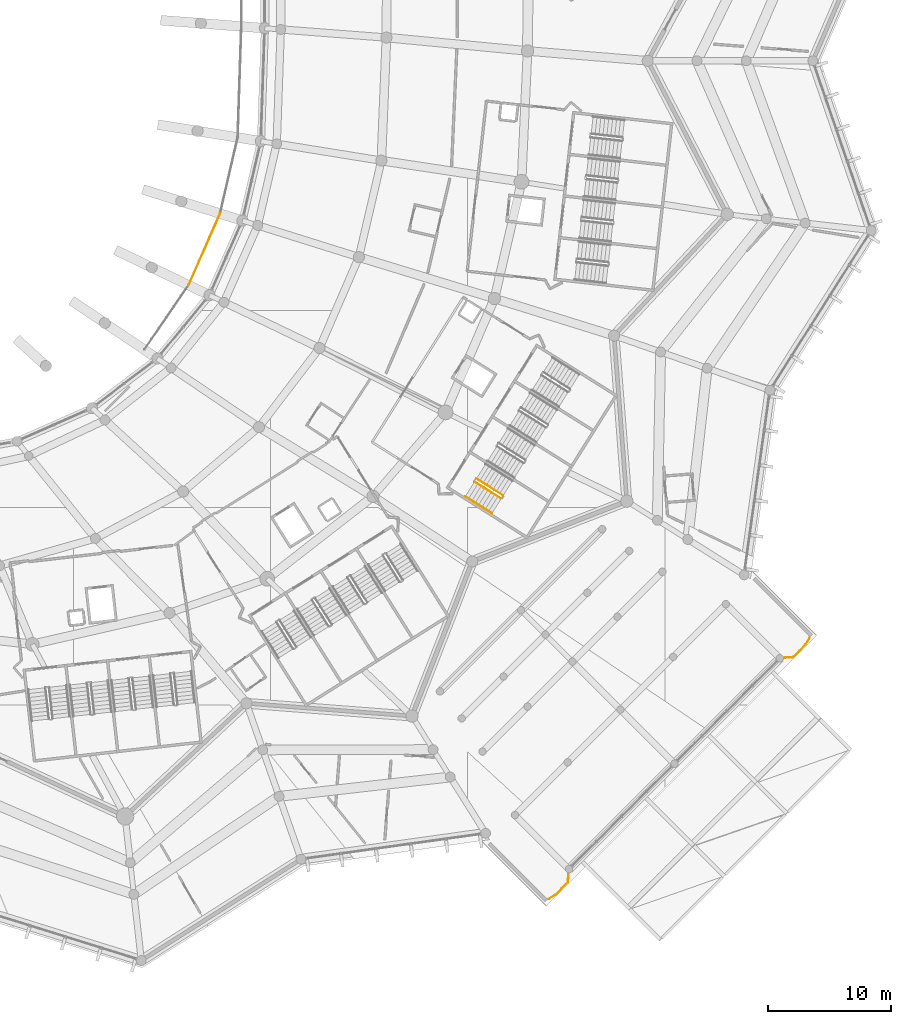
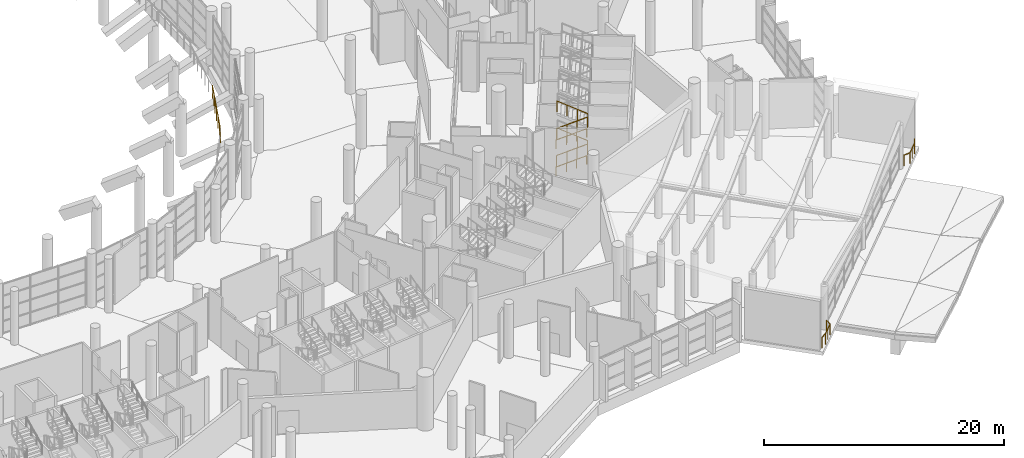
# One storey, part 241 of 271: 9 railings.
"""IFC4 building model written with IfcOpenShell, lengths in metres."""

import ifcopenshell
import ifcopenshell.guid

model = None  # the IFC model being written
_history = None  # IfcOwnerHistory: only IFC2X3 demands one
_inside = {}  # id of a spatial element -> (the spatial element, [elements in it])
_under = {}  # id of a project, library or spatial element -> (it, [spatial elements below it])
_declared = {}  # id of a project -> (the project, [libraries it declares])
_typed = {}  # id of a type object -> (the type object, [elements of that type])
_made_of = {}  # id of a material, layer set ... -> (it, [elements and type objects made of it])


def new_model(schema):
    """Start an empty IFC model of exactly this schema.

    Asked for "IFC4X3", IfcOpenShell would pick the latest addendum, in which some entities
    have other attributes; the version numbers below select the first issue.
    IFC2X3 requires an IfcOwnerHistory on every rooted entity: one is made here for all.
    """
    global model, _history
    if schema == "IFC4X3":
        model = ifcopenshell.file(schema_version=(4, 3, 0, 0))
    else:
        model = ifcopenshell.file(schema=schema)
    _inside.clear()
    _under.clear()
    _declared.clear()
    _typed.clear()
    _made_of.clear()
    _history = None
    if model.schema == "IFC2X3":
        org = make("IfcOrganization", Name="unknown")
        user = make(
            "IfcPersonAndOrganization",
            ThePerson=make("IfcPerson", FamilyName="unknown"),
            TheOrganization=org,
        )
        app = make(
            "IfcApplication",
            ApplicationDeveloper=org,
            Version="unknown",
            ApplicationFullName="unknown",
            ApplicationIdentifier="unknown",
        )
        _history = make(
            "IfcOwnerHistory",
            OwningUser=user,
            OwningApplication=app,
            ChangeAction="ADDED",
            CreationDate=0,
        )
    return model


def make(cls, **values):
    """One entity of the class cls with the attributes given. An attribute that is None is left unset."""
    return model.create_entity(
        cls, **{name: value for name, value in values.items() if value is not None}
    )


def rooted(cls, **values):
    """An entity with a GlobalId (a new one), such as an element, a storey or a relation."""
    return make(cls, GlobalId=ifcopenshell.guid.new(), OwnerHistory=_history, **values)


def si_unit(unit_type, name, prefix=None):
    """IfcSIUnit, for example si_unit("LENGTHUNIT", "METRE", prefix="MILLI")."""
    return make("IfcSIUnit", UnitType=unit_type, Prefix=prefix, Name=name)


def assignment(units):
    """IfcUnitAssignment: the units of a project."""
    return None if units is None else make("IfcUnitAssignment", Units=units)


def point(xyz):
    """IfcCartesianPoint."""
    return None if xyz is None else make("IfcCartesianPoint", Coordinates=xyz)


def direction(xyz):
    """IfcDirection."""
    return None if xyz is None else make("IfcDirection", DirectionRatios=xyz)


def frame(location, z_axis=None, x_axis=None):
    """IfcAxis2Placement3D, a coordinate frame: its origin and axes. An axis left out is left unset."""
    return make(
        "IfcAxis2Placement3D",
        Location=point(location),
        Axis=direction(z_axis),
        RefDirection=direction(x_axis),
    )


def frame_2d(location, x_axis=None):
    """IfcAxis2Placement2D, a coordinate frame in the plane: its origin and x axis."""
    return make(
        "IfcAxis2Placement2D", Location=point(location), RefDirection=direction(x_axis)
    )


def origin():
    """The frame at (0, 0, 0) with its axes left unset."""
    return frame((0.0, 0.0, 0.0))


def origin_2d():
    """The frame at (0, 0) in the plane with its x axis left unset."""
    return frame_2d((0.0, 0.0))


def place(relative_to, where):
    """IfcLocalPlacement: puts the frame where relative to a parent placement (None: the world)."""
    return make(
        "IfcLocalPlacement", PlacementRelTo=relative_to, RelativePlacement=where
    )


def context(
    kind, dimensions, precision=None, world=None, true_north=None, identifier=None
):
    """IfcGeometricRepresentationContext, for example the 3D "Model" context."""
    return make(
        "IfcGeometricRepresentationContext",
        ContextIdentifier=identifier,
        ContextType=kind,
        CoordinateSpaceDimension=dimensions,
        Precision=precision,
        WorldCoordinateSystem=world,
        TrueNorth=true_north,
    )


def subcontext(parent, identifier, kind, view, scale=None):
    """IfcGeometricRepresentationSubContext, for example "Body" below "Model"."""
    return make(
        "IfcGeometricRepresentationSubContext",
        ContextIdentifier=identifier,
        ContextType=kind,
        ParentContext=parent,
        TargetScale=scale,
        TargetView=view,
    )


def project(units=None, contexts=None):
    """IfcProject with its units and contexts."""
    return rooted(
        "IfcProject",
        Name="project",
        RepresentationContexts=contexts,
        UnitsInContext=assignment(units),
    )


def spatial(cls, under=None, at=None, **own):
    """A site, building, storey or space (cls), placed at a placement, below another one or the project."""
    s = rooted(cls, ObjectPlacement=at, **own)
    if under is not None:
        _under.setdefault(under.id(), (under, []))[1].append(s)
    return s


def profile(cls, at=None, kind="AREA", **sizes):
    """A parametric profile (cls). Its sizes go by their IFC names, for example OverallWidth=200.0."""
    return make(cls, ProfileType=kind, Position=at, **sizes)


def circle(**sizes):
    """IfcCircleProfileDef."""
    return profile("IfcCircleProfileDef", **sizes)


def extrude(swept, where, along, depth):
    """IfcExtrudedAreaSolid: the profile swept, set in the frame where, extruded along a direction by depth."""
    return make(
        "IfcExtrudedAreaSolid",
        SweptArea=swept,
        Position=where,
        ExtrudedDirection=direction(along),
        Depth=depth,
    )


def shape(context_of_items, identifier, shape_type, items):
    """IfcShapeRepresentation: the items that make up one representation, for example the "Body"."""
    return make(
        "IfcShapeRepresentation",
        ContextOfItems=context_of_items,
        RepresentationIdentifier=identifier,
        RepresentationType=shape_type,
        Items=items,
    )


def material(Name=None, Category=None):
    """IfcMaterial."""
    return make("IfcMaterial", Name=Name, Category=Category)


def made_of(thing, what):
    """Note that an element or type object is made of a material, layer set ...; save() writes the relation."""
    if what is not None:
        _made_of.setdefault(what.id(), (what, []))[1].append(thing)
    return thing


def type_object(cls, material=None, **own):
    """A type object (cls), such as IfcWallType, which elements share."""
    return made_of(rooted(cls, **own), material)


def element(
    cls,
    number,
    at=None,
    inside=None,
    cuts=None,
    type_object=None,
    material=None,
    context=None,
    identifier="Body",
    shape_type=None,
    held_by="IfcProductDefinitionShape",
    body=None,
    shapes=None,
    **own,
):
    """One element of the class cls, such as IfcWall. Its Tag is "e" and its number.

    at: its placement. inside: the storey or other place that contains it. cuts: it is an
    opening in that element (IfcRelVoidsElement). A single representation is given by context,
    identifier, shape_type and body (its items); several are given by shapes. held_by: the class
    of the entity that holds the representations. save() writes the other relations.
    """
    e = rooted(cls, Tag="e%d" % number, ObjectPlacement=at, **own)
    if body is not None:
        shapes = [shape(context, identifier, shape_type, body)]
    if shapes is not None:
        e.Representation = make(held_by, Representations=shapes)
    if inside is not None:
        _inside.setdefault(inside.id(), (inside, []))[1].append(e)
    if cuts is not None:
        rooted(
            "IfcRelVoidsElement", RelatingBuildingElement=cuts, RelatedOpeningElement=e
        )
    if type_object is not None:
        _typed.setdefault(type_object.id(), (type_object, []))[1].append(e)
    return made_of(e, material)


def aggregate(whole, parts):
    """IfcRelAggregates: a whole, such as a stair, and the parts it consists of."""
    return rooted("IfcRelAggregates", RelatingObject=whole, RelatedObjects=parts)


def save(model, path):
    """Write the relations noted so far, then the file.

    IfcRelAggregates (storeys below a building ...), IfcRelContainedInSpatialStructure (elements
    in a storey), IfcRelDefinesByType, IfcRelAssociatesMaterial and IfcRelDeclares: one each for
    every whole, place, type object, material and project.
    """
    for whole, parts in _under.values():
        aggregate(whole, parts)
    for where, things in _inside.values():
        rooted(
            "IfcRelContainedInSpatialStructure",
            RelatedElements=things,
            RelatingStructure=where,
        )
    for kind, things in _typed.values():
        rooted("IfcRelDefinesByType", RelatedObjects=things, RelatingType=kind)
    for what, things in _made_of.values():
        rooted("IfcRelAssociatesMaterial", RelatedObjects=things, RelatingMaterial=what)
    for by, libraries in _declared.values():
        rooted("IfcRelDeclares", RelatingContext=by, RelatedDefinitions=libraries)
    model.write(path)


model = new_model("IFC4")

# Units and contexts
model_context = context("Model", 3, precision=1e-05, world=origin(), true_north=direction((0.0, 1.0)))
body_context = subcontext(model_context, "Body", "Model", "MODEL_VIEW")
ifc_project = project(units=[si_unit("LENGTHUNIT", "METRE"), si_unit("AREAUNIT", "SQUARE_METRE"), si_unit("VOLUMEUNIT", "CUBIC_METRE"), si_unit("PLANEANGLEUNIT", "RADIAN"), si_unit("MASSUNIT", "GRAM", prefix="KILO")], contexts=[model_context])

# Site, building, storey
site_placement = place(None, origin())
site = spatial("IfcSite", under=ifc_project, at=site_placement, CompositionType="ELEMENT")
building_placement = place(site_placement, origin())
building = spatial("IfcBuilding", under=site, at=building_placement, Name="Meseta Stadium", CompositionType="ELEMENT")
storey_placement = place(building_placement, frame((0.0, 0.0, 6.5)))
storey = spatial("IfcBuildingStorey", under=building, at=storey_placement, Name="L01", CompositionType="ELEMENT", Elevation=6.5)

# Railings
ifc_material_1 = material(Name="Steel S355", Category="steel")
railing_type_1 = type_object("IfcRailingType", Name="Plate edge guard 1100", PredefinedType="GUARDRAIL", material=ifc_material_1)
railing_1_placement = place(storey_placement, frame((88.174072265625, -109.7744140625, 0.0)))
element("IfcRailing", 1, at=railing_1_placement, inside=storey, type_object=railing_type_1, Name="Gate hall edge guard 11", PredefinedType="GUARDRAIL", context=body_context, shape_type="SweptSolid", body=[
    extrude(circle(Radius=0.02490234375, at=origin_2d()), frame((0.0, 0.0, 1.0751953125), z_axis=(-0.059091509668, -0.998252569987, 0.0), x_axis=(0.998252569987, -0.059091509668, 0.0)), (0.0, 0.0, 1.0), 0.61962890625),
    extrude(circle(Radius=0.02490234375, at=origin_2d()), frame((-0.03662109375, -0.61865234375, 1.0751953125), z_axis=(-0.707106781187, -0.707106781187, 0.0), x_axis=(0.707106781187, -0.707106781187, 0.0)), (0.0, 0.0, 1.0), 1.44482421875),
    extrude(circle(Radius=0.02490234375, at=origin_2d()), frame((-1.058349609375, -1.640380859375, 1.0751953125), z_axis=(-0.854700139359, -0.519122020127, 0.0), x_axis=(0.519122020127, -0.854700139359, 0.0)), (0.0, 0.0, 1.0), 0.619873046875),
    extrude(circle(Radius=0.02001953125, at=origin_2d()), origin(), (0.0, 0.0, 1.0), 1.050048828125),
    extrude(circle(Radius=0.02001953125, at=origin_2d()), frame((-0.03662109375, -0.61865234375, 0.0)), (0.0, 0.0, 1.0), 1.050048828125),
    extrude(circle(Radius=0.02001953125, at=origin_2d()), frame((-0.54736328125, -1.12939453125, 0.0)), (0.0, 0.0, 1.0), 1.050048828125),
    extrude(circle(Radius=0.02001953125, at=origin_2d()), frame((-1.058349609375, -1.640380859375, 0.0)), (0.0, 0.0, 1.0), 1.050048828125),
    extrude(circle(Radius=0.02001953125, at=origin_2d()), frame((-1.588134765625, -1.962158203125, 0.0)), (0.0, 0.0, 1.0), 1.050048828125),
])
railing_2_placement = place(storey_placement, frame((107.736572265625, -90.5859375, 0.0)))
element("IfcRailing", 2, at=railing_2_placement, inside=storey, type_object=railing_type_1, Name="Gate hall edge guard 12", PredefinedType="GUARDRAIL", context=body_context, shape_type="SweptSolid", body=[
    extrude(circle(Radius=0.02490234375, at=origin_2d()), frame((0.0, 0.0, 1.0751953125), z_axis=(-0.519122020127, -0.854700139359, 0.0), x_axis=(0.854700139359, -0.519122020127, 0.0)), (0.0, 0.0, 1.0), 0.619873046875),
    extrude(circle(Radius=0.02490234375, at=origin_2d()), frame((-0.32177734375, -0.52978515625, 1.0751953125), z_axis=(-0.707106781187, -0.707106781187, 0.0), x_axis=(0.707106781187, -0.707106781187, 0.0)), (0.0, 0.0, 1.0), 1.44482421875),
    extrude(circle(Radius=0.02490234375, at=origin_2d()), frame((-1.343505859375, -1.551513671875, 1.0751953125), z_axis=(-0.998252569987, -0.059091509668, 0.0), x_axis=(0.059091509668, -0.998252569987, 0.0)), (0.0, 0.0, 1.0), 0.61962890625),
    extrude(circle(Radius=0.02001953125, at=origin_2d()), origin(), (0.0, 0.0, 1.0), 1.050048828125),
    extrude(circle(Radius=0.02001953125, at=origin_2d()), frame((-0.32177734375, -0.52978515625, 0.0)), (0.0, 0.0, 1.0), 1.050048828125),
    extrude(circle(Radius=0.02001953125, at=origin_2d()), frame((-0.83251953125, -1.04052734375, 0.0)), (0.0, 0.0, 1.0), 1.050048828125),
    extrude(circle(Radius=0.02001953125, at=origin_2d()), frame((-1.343505859375, -1.551513671875, 0.0)), (0.0, 0.0, 1.0), 1.050048828125),
    extrude(circle(Radius=0.02001953125, at=origin_2d()), frame((-1.962158203125, -1.588134765625, 0.0)), (0.0, 0.0, 1.0), 1.050048828125),
])
ifc_material_2 = material(Name="Steel S355", Category="steel")
railing_type_2 = type_object("IfcRailingType", Name="Stair guard 1100", PredefinedType="GUARDRAIL", material=ifc_material_2)
railing_3_placement = place(storey_placement, frame((80.54736328125, -77.907958984375, 0.15283203125)))
element("IfcRailing", 3, at=railing_3_placement, inside=storey, type_object=railing_type_2, Name="ST109 L01 guard 1", PredefinedType="GUARDRAIL", context=body_context, shape_type="SweptSolid", body=[
    extrude(circle(Radius=0.02392578125, at=origin_2d()), frame((0.0, 0.0, 1.076171875), z_axis=(0.764120620259, -0.480124894743, 0.430812909676), x_axis=(0.532028967801, 0.846726152555, 0.0)), (0.0, 0.0, 1.0), 2.8369140625),
    extrude(circle(Radius=0.02099609375, at=origin_2d()), origin(), (0.0, 0.0, 1.0), 1.052001953125),
    extrude(circle(Radius=0.02099609375, at=origin_2d()), frame((0.72265625, -0.4541015625, 0.407470703125)), (0.0, 0.0, 1.0), 1.052001953125),
    extrude(circle(Radius=0.02099609375, at=origin_2d()), frame((1.445068359375, -0.907958984375, 0.814697265625)), (0.0, 0.0, 1.0), 1.052001953125),
    extrude(circle(Radius=0.02099609375, at=origin_2d()), frame((2.167724609375, -1.362060546875, 1.22216796875)), (0.0, 0.0, 1.0), 1.052001953125),
])
railing_4_placement = place(storey_placement, frame((82.87451171875, -79.015869140625, 1.52783203125)))
element("IfcRailing", 4, at=railing_4_placement, inside=storey, type_object=railing_type_2, Name="ST109 L01 guard 3", PredefinedType="GUARDRAIL", context=body_context, shape_type="SweptSolid", body=[
    extrude(circle(Radius=0.02392578125, at=origin_2d()), frame((0.0, 0.0, 1.076171875), z_axis=(-0.764084805753, 0.480156468945, 0.430841241), x_axis=(-0.532071929883, -0.84669915639, 0.0)), (0.0, 0.0, 1.0), 2.836669921875),
    extrude(circle(Radius=0.02099609375, at=origin_2d()), origin(), (0.0, 0.0, 1.0), 1.052001953125),
    extrude(circle(Radius=0.02099609375, at=origin_2d()), frame((-0.722412109375, 0.4541015625, 0.407470703125)), (0.0, 0.0, 1.0), 1.052001953125),
    extrude(circle(Radius=0.02099609375, at=origin_2d()), frame((-1.445068359375, 0.907958984375, 0.814697265625)), (0.0, 0.0, 1.0), 1.052001953125),
    extrude(circle(Radius=0.02099609375, at=origin_2d()), frame((-2.16748046875, 1.362060546875, 1.22216796875)), (0.0, 0.0, 1.0), 1.052001953125),
])
railing_5_placement = place(storey_placement, frame((80.54736328125, -77.907958984375, 2.90283203125)))
element("IfcRailing", 5, at=railing_5_placement, inside=storey, type_object=railing_type_2, Name="ST109 L01 guard 5", PredefinedType="GUARDRAIL", context=body_context, shape_type="SweptSolid", body=[
    extrude(circle(Radius=0.02392578125, at=origin_2d()), frame((0.0, 0.0, 1.076171875), z_axis=(0.764120620259, -0.480124894743, 0.430812909676), x_axis=(0.532028967801, 0.846726152555, 0.0)), (0.0, 0.0, 1.0), 2.8369140625),
    extrude(circle(Radius=0.02099609375, at=origin_2d()), origin(), (0.0, 0.0, 1.0), 1.052001953125),
    extrude(circle(Radius=0.02099609375, at=origin_2d()), frame((0.72265625, -0.4541015625, 0.407470703125)), (0.0, 0.0, 1.0), 1.052001953125),
    extrude(circle(Radius=0.02099609375, at=origin_2d()), frame((1.445068359375, -0.907958984375, 0.814697265625)), (0.0, 0.0, 1.0), 1.052001953125),
    extrude(circle(Radius=0.02099609375, at=origin_2d()), frame((2.167724609375, -1.362060546875, 1.22216796875)), (0.0, 0.0, 1.0), 1.052001953125),
])
railing_6_placement = place(storey_placement, frame((82.87451171875, -79.015869140625, 4.27783203125)))
element("IfcRailing", 6, at=railing_6_placement, inside=storey, type_object=railing_type_2, Name="ST109 L01 guard 7", PredefinedType="GUARDRAIL", context=body_context, shape_type="SweptSolid", body=[
    extrude(circle(Radius=0.02392578125, at=origin_2d()), frame((0.0, 0.0, 1.076171875), z_axis=(-0.764084805753, 0.480156468945, 0.430841241), x_axis=(-0.532071929883, -0.84669915639, 0.0)), (0.0, 0.0, 1.0), 2.836669921875),
    extrude(circle(Radius=0.02099609375, at=origin_2d()), origin(), (0.0, 0.0, 1.0), 1.052001953125),
    extrude(circle(Radius=0.02099609375, at=origin_2d()), frame((-0.722412109375, 0.4541015625, 0.407470703125)), (0.0, 0.0, 1.0), 1.052001953125),
    extrude(circle(Radius=0.02099609375, at=origin_2d()), frame((-1.445068359375, 0.907958984375, 0.814697265625)), (0.0, 0.0, 1.0), 1.052001953125),
    extrude(circle(Radius=0.02099609375, at=origin_2d()), frame((-2.16748046875, 1.362060546875, 1.22216796875)), (0.0, 0.0, 1.0), 1.052001953125),
])
ifc_material_3 = material(Name="Steel S355", Category="steel")
railing_type_3 = type_object("IfcRailingType", Name="Stair handrail 900", PredefinedType="HANDRAIL", material=ifc_material_3)
for number, where, name in (
    (7, (79.802490234375, -79.09326171875, 0.15283203125), "ST109 L01 handrail 1"),
    (8, (79.802490234375, -79.09326171875, 2.90283203125), "ST109 L01 handrail 3"),
):
    element("IfcRailing", number, at=place(storey_placement, frame(where)), inside=storey, type_object=railing_type_3, Name=name, PredefinedType="HANDRAIL", context=body_context, shape_type="SweptSolid", body=[
        extrude(circle(Radius=0.02392578125, at=origin_2d()), frame((0.0, 0.0, 0.8759765625), z_axis=(0.764120620259, -0.480124894743, 0.430812909676), x_axis=(0.532028967801, 0.846726152555, 0.0)), (0.0, 0.0, 1.0), 2.8369140625),
        extrude(circle(Radius=0.02099609375, at=origin_2d()), origin(), (0.0, 0.0, 1.0), 0.851806640625),
        extrude(circle(Radius=0.02099609375, at=origin_2d()), frame((0.72265625, -0.4541015625, 0.407470703125)), (0.0, 0.0, 1.0), 0.851806640625),
        extrude(circle(Radius=0.02099609375, at=origin_2d()), frame((1.445068359375, -0.907958984375, 0.814697265625)), (0.0, 0.0, 1.0), 0.851806640625),
        extrude(circle(Radius=0.02099609375, at=origin_2d()), frame((2.167724609375, -1.362060546875, 1.22216796875)), (0.0, 0.0, 1.0), 0.851806640625),
    ])
ifc_material_4 = material(Name="Steel S355", Category="steel")
railing_type_4 = type_object("IfcRailingType", Name="Stand rear guard 1300", PredefinedType="GUARDRAIL", material=ifc_material_4)
railing_7_placement = place(storey_placement, frame((57.355712890625, -61.951904296875, 0.966552734375)))
element("IfcRailing", 9, at=railing_7_placement, inside=storey, type_object=railing_type_4, Name="Stand lower tier rear guard bay 55", PredefinedType="GUARDRAIL", context=body_context, shape_type="SweptSolid", body=[
    extrude(circle(Radius=0.02490234375, at=origin_2d()), frame((0.0, 0.0, 1.27490234375), z_axis=(0.402695607316, 0.915119320954, 0.019821106544), x_axis=(-0.915299138271, 0.402774735405, 0.0)), (0.0, 0.0, 1.0), 6.34326171875),
    extrude(circle(Radius=0.02001953125, at=origin_2d()), origin(), (0.0, 0.0, 1.0), 1.25),
    extrude(circle(Radius=0.02001953125, at=origin_2d()), frame((0.42578125, 0.967529296875, 0.02099609375)), (0.0, 0.0, 1.0), 1.25),
    extrude(circle(Radius=0.02001953125, at=origin_2d()), frame((0.8515625, 1.93505859375, 0.0419921875)), (0.0, 0.0, 1.0), 1.25),
    extrude(circle(Radius=0.02001953125, at=origin_2d()), frame((1.27734375, 2.90234375, 0.06298828125)), (0.0, 0.0, 1.0), 1.25),
    extrude(circle(Radius=0.02001953125, at=origin_2d()), frame((1.702880859375, 3.869873046875, 0.083740234375)), (0.0, 0.0, 1.0), 1.25),
    extrude(circle(Radius=0.02001953125, at=origin_2d()), frame((2.128662109375, 4.83740234375, 0.104736328125)), (0.0, 0.0, 1.0), 1.25),
    extrude(circle(Radius=0.02001953125, at=origin_2d()), frame((2.554443359375, 5.804931640625, 0.125732421875)), (0.0, 0.0, 1.0), 1.25),
])

save(model, "model.ifc")
